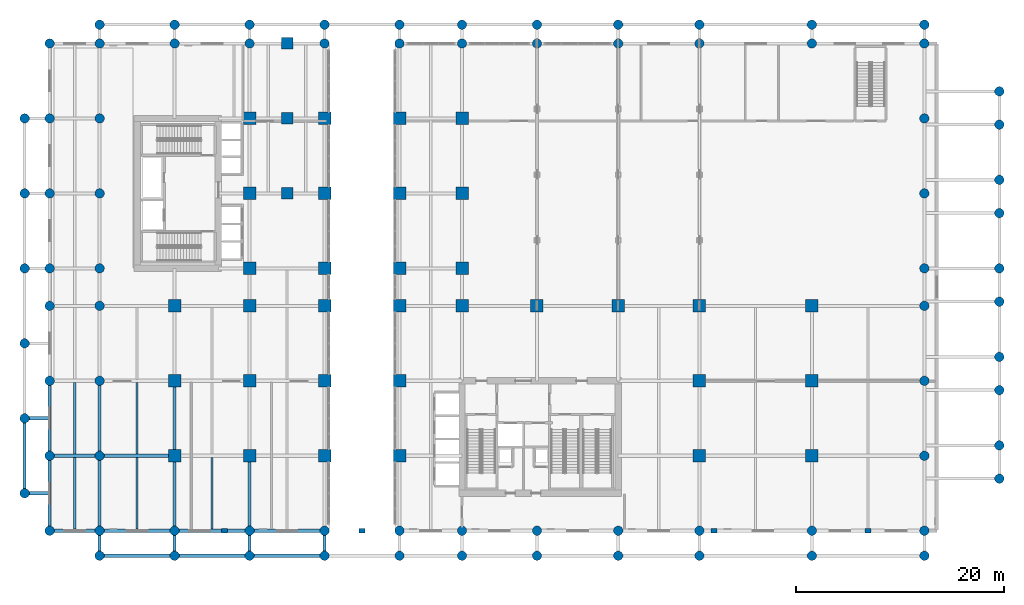
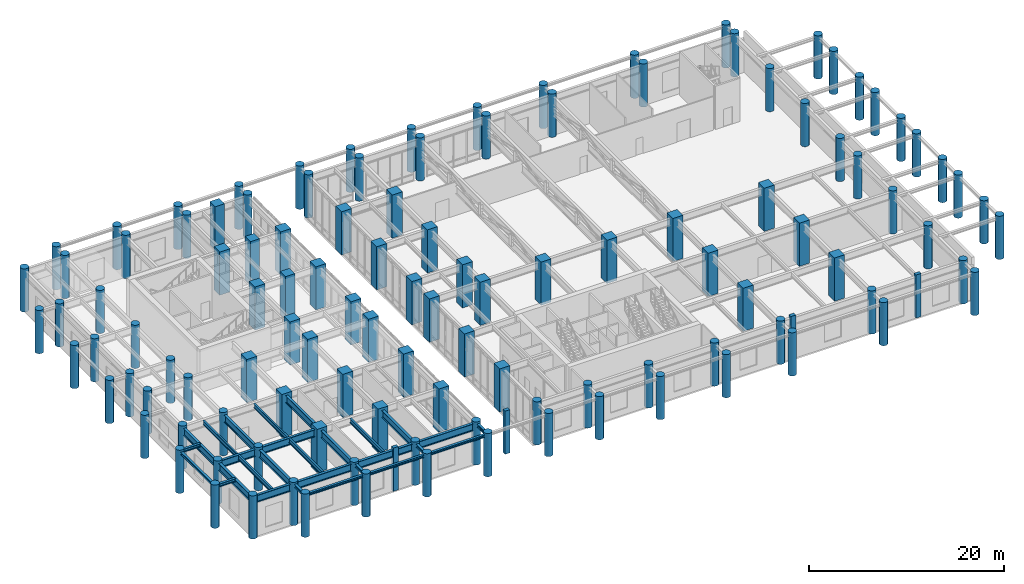
# One storey, part 1 of 24: 120 columns, 28 beams.
"""IFC4 building model written with IfcOpenShell, lengths in metres."""

from ifc_helpers import new_model, si_unit, derived_unit, direction, frame, origin, origin_2d, place, context, subcontext, project, spatial, rectangle, circle, i_section, extrude, source, transform, mapped, material, material_profile, profile_set, type_object, type_shapes, element, save


model = new_model("IFC4")

# Units and contexts
model_context = context("Model", 3, precision=1e-05, world=origin(), true_north=direction((0.0, 1.0)))
body_context = subcontext(model_context, "Body", "Model", "MODEL_VIEW")
ifc_project = project(units=[si_unit("LENGTHUNIT", "METRE"), si_unit("AREAUNIT", "SQUARE_METRE"), si_unit("VOLUMEUNIT", "CUBIC_METRE"), si_unit("PLANEANGLEUNIT", "RADIAN"), si_unit("MASSUNIT", "GRAM", prefix="KILO"), si_unit("THERMODYNAMICTEMPERATUREUNIT", "KELVIN"), si_unit("POWERUNIT", "WATT"), derived_unit("THERMALTRANSMITTANCEUNIT", [(si_unit("POWERUNIT", "WATT"), 1), (si_unit("AREAUNIT", "SQUARE_METRE"), -1), (si_unit("THERMODYNAMICTEMPERATUREUNIT", "KELVIN"), -1)])], contexts=[model_context])

# Site, building, storey
site_placement = place(None, origin())
site = spatial("IfcSite", under=ifc_project, at=site_placement, CompositionType="ELEMENT")
building_placement = place(site_placement, origin())
building = spatial("IfcBuilding", under=site, at=building_placement, Name="Zahravan Archway Hotel and Residences", CompositionType="ELEMENT")
storey_placement = place(building_placement, frame((0.0, 0.0, 10.800048828125)))
storey = spatial("IfcBuildingStorey", under=building, at=storey_placement, Name="L02", CompositionType="ELEMENT", Elevation=10.800048828125)

# Columns
ifc_material_1 = material(Name="Concrete C70/85", Category="concrete")
ifc_material_profile_1 = material_profile(ifc_material_1, rectangle(XDim=1.199951171875, YDim=1.199951171875, at=origin_2d()), Name="RC-COL-1200x1200", Category="concrete")
ifc_profile_set_1 = profile_set([ifc_material_profile_1], Name="Concrete C70/85")
column_type_1 = type_object("IfcColumnType", Name="COL-RC-1200", PredefinedType="COLUMN", material=ifc_profile_set_1)
shared_shape_1 = source(origin(), body_context, "Body", "SweptSolid", [
    extrude(rectangle(XDim=1.199951171875, YDim=1.199951171875, at=origin_2d()), origin(), (0.0, 0.0, 1.0), 5.39990234375),
])
for number, where, z_axis, x_axis, name in (
    (1, (7.199951171875, 7.199951171875, 0.0), (0.0, 0.0, 1.0), (1.0, 0.0, 0.0), "L02 Column 2-B"),
    (2, (7.199951171875, 14.39990234375, 0.0), (0.0, 0.0, 1.0), (1.0, 0.0, 0.0), "L02 Column 2-C"),
    (3, (7.199951171875, 21.60009765625, 0.0), (0.0, 0.0, 1.0), (1.0, 0.0, 0.0), "L02 Column 2-D"),
    (4, (14.39990234375, 7.199951171875, 0.0), (0.0, 0.0, 1.0), (1.0, 0.0, 0.0), "L02 Column 3-B"),
    (5, (14.39990234375, 14.39990234375, 0.0), (0.0, 0.0, 1.0), (1.0, 0.0, 0.0), "L02 Column 3-C"),
    (6, (14.39990234375, 21.60009765625, 0.0), (0.0, 0.0, 1.0), (1.0, 0.0, 0.0), "L02 Column 3-D"),
    (7, (14.39990234375, 25.199951171875, 0.0), (0.0, 0.0, 1.0), (1.0, 0.0, 0.0), "L02 Column 3-E"),
    (8, (14.39990234375, 32.39990234375, 0.0), (0.0, 0.0, 1.0), (1.0, 0.0, 0.0), "L02 Column 3-F"),
    (9, (14.39990234375, 39.60009765625, 0.0), (0.0, 0.0, 1.0), (1.0, 0.0, 0.0), "L02 Column 3-G"),
    (10, (21.60009765625, 7.199951171875, 0.0), (0.0, 0.0, 1.0), (1.0, 0.0, 0.0), "L02 Column 4-B"),
    (11, (21.60009765625, 14.39990234375, 0.0), (0.0, 0.0, 1.0), (1.0, 0.0, 0.0), "L02 Column 4-C"),
    (12, (21.60009765625, 21.60009765625, 0.0), (0.0, 0.0, 1.0), (1.0, 0.0, 0.0), "L02 Column 4-D"),
    (13, (21.60009765625, 25.199951171875, 0.0), (0.0, 0.0, 1.0), (1.0, 0.0, 0.0), "L02 Column 4-E"),
    (14, (21.60009765625, 32.39990234375, 0.0), (0.0, 0.0, 1.0), (1.0, 0.0, 0.0), "L02 Column 4-F"),
    (15, (21.60009765625, 39.60009765625, 0.0), (0.0, 0.0, 1.0), (1.0, 0.0, 0.0), "L02 Column 4-G"),
    (16, (28.800048828125, 7.199951171875, 0.0), (0.0, 0.0, 1.0), (1.0, 0.0, 0.0), "L02 Column 5-B"),
    (17, (28.800048828125, 14.39990234375, 0.0), (0.0, 0.0, 1.0), (1.0, 0.0, 0.0), "L02 Column 5-C"),
    (18, (28.800048828125, 21.60009765625, 0.0), (0.0, 0.0, 1.0), (1.0, 0.0, 0.0), "L02 Column 5-D"),
    (19, (28.800048828125, 25.199951171875, 0.0), (0.0, 0.0, 1.0), (1.0, 0.0, 0.0), "L02 Column 5-E"),
    (20, (28.800048828125, 32.39990234375, 0.0), (0.0, 0.0, 1.0), (1.0, 0.0, 0.0), "L02 Column 5-F"),
    (21, (28.800048828125, 39.60009765625, 0.0), (0.0, 0.0, 1.0), (1.0, 0.0, 0.0), "L02 Column 5-G"),
    (22, (34.800048828125, 21.60009765625, 0.0), (0.0, 0.0, 1.0), (1.0, 0.0, 0.0), "L02 Column 6-D"),
    (23, (34.800048828125, 25.199951171875, 0.0), (0.0, 0.0, 1.0), (1.0, 0.0, 0.0), "L02 Column 6-E"),
    (24, (34.800048828125, 32.39990234375, 0.0), (0.0, 0.0, 1.0), (1.0, 0.0, 0.0), "L02 Column 6-F"),
    (25, (34.800048828125, 39.60009765625, 0.0), (0.0, 0.0, 1.0), (1.0, 0.0, 0.0), "L02 Column 6-G"),
    (26, (42.0, 21.60009765625, 0.0), (0.0, 0.0, 1.0), (1.0, 0.0, 0.0), "L02 Column 7-D"),
    (27, (49.800048828125, 21.60009765625, 0.0), (0.0, 0.0, 1.0), (1.0, 0.0, 0.0), "L02 Column 8-D"),
    (28, (57.60009765625, 7.199951171875, 0.0), (0.0, 0.0, 1.0), (1.0, 0.0, 0.0), "L02 Column 9-B"),
    (29, (57.60009765625, 14.39990234375, 0.0), (0.0, 0.0, 1.0), (1.0, 0.0, 0.0), "L02 Column 9-C"),
    (30, (57.60009765625, 21.60009765625, 0.0), (0.0, 0.0, 1.0), (1.0, 0.0, 0.0), "L02 Column 9-D"),
    (31, (68.39990234375, 7.199951171875, 0.0), (0.0, 0.0, 1.0), (1.0, 0.0, 0.0), "L02 Column 10-B"),
    (32, (68.39990234375, 14.39990234375, 0.0), (0.0, 0.0, 1.0), (1.0, 0.0, 0.0), "L02 Column 10-C"),
    (33, (68.39990234375, 21.60009765625, 0.0), (0.0, 0.0, 1.0), (1.0, 0.0, 0.0), "L02 Column 10-D"),
):
    element("IfcColumn", number, at=place(storey_placement, frame(where, z_axis=z_axis, x_axis=x_axis)), inside=storey, type_object=column_type_1, Name=name, PredefinedType="COLUMN", context=body_context, shape_type="MappedRepresentation", body=[
        mapped(shared_shape_1, transform((0.0, 0.0, 0.0), scale=1.0)),
    ])
ifc_material_2 = material(Name="Concrete C60/75", Category="concrete")
ifc_material_profile_2 = material_profile(ifc_material_2, circle(Radius=0.449951171875, at=origin_2d()), Name="RC-CIRC-900", Category="concrete")
ifc_profile_set_2 = profile_set([ifc_material_profile_2], Name="Concrete C60/75")
column_type_2 = type_object("IfcColumnType", Name="COL-RND-900", PredefinedType="COLUMN", material=ifc_profile_set_2)
shared_shape_2 = source(origin(), body_context, "Body", "SweptSolid", [
    extrude(circle(Radius=0.449951171875, at=origin_2d()), origin(), (0.0, 0.0, 1.0), 5.39990234375),
])
type_shapes(column_type_2, [shared_shape_2])
for number, where, z_axis, x_axis, name in (
    (34, (-4.800048828125, 0.0, 0.0), (0.0, 0.0, 1.0), (1.0, 0.0, 0.0), "L02 Column 0-A"),
    (35, (-4.800048828125, 7.199951171875, 0.0), (0.0, 0.0, 1.0), (1.0, 0.0, 0.0), "L02 Column 0-B"),
    (36, (-4.800048828125, 14.39990234375, 0.0), (0.0, 0.0, 1.0), (1.0, 0.0, 0.0), "L02 Column 0-C"),
    (37, (-4.800048828125, 21.60009765625, 0.0), (0.0, 0.0, 1.0), (1.0, 0.0, 0.0), "L02 Column 0-D"),
    (38, (-4.800048828125, 25.199951171875, 0.0), (0.0, 0.0, 1.0), (1.0, 0.0, 0.0), "L02 Column 0-E"),
    (39, (-4.800048828125, 32.39990234375, 0.0), (0.0, 0.0, 1.0), (1.0, 0.0, 0.0), "L02 Column 0-F"),
    (40, (-4.800048828125, 39.60009765625, 0.0), (0.0, 0.0, 1.0), (1.0, 0.0, 0.0), "L02 Column 0-G"),
    (41, (-4.800048828125, 46.800048828125, 0.0), (0.0, 0.0, 1.0), (1.0, 0.0, 0.0), "L02 Column 0-H"),
    (42, (0.0, 0.0, 0.0), (0.0, 0.0, 1.0), (1.0, 0.0, 0.0), "L02 Column 1-A"),
    (43, (0.0, 7.199951171875, 0.0), (0.0, 0.0, 1.0), (1.0, 0.0, 0.0), "L02 Column 1-B"),
    (44, (0.0, 14.39990234375, 0.0), (0.0, 0.0, 1.0), (1.0, 0.0, 0.0), "L02 Column 1-C"),
    (45, (0.0, 21.60009765625, 0.0), (0.0, 0.0, 1.0), (1.0, 0.0, 0.0), "L02 Column 1-D"),
    (46, (0.0, 25.199951171875, 0.0), (0.0, 0.0, 1.0), (1.0, 0.0, 0.0), "L02 Column 1-E"),
    (47, (0.0, 32.39990234375, 0.0), (0.0, 0.0, 1.0), (1.0, 0.0, 0.0), "L02 Column 1-F"),
    (48, (0.0, 39.60009765625, 0.0), (0.0, 0.0, 1.0), (1.0, 0.0, 0.0), "L02 Column 1-G"),
    (49, (0.0, 46.800048828125, 0.0), (0.0, 0.0, 1.0), (1.0, 0.0, 0.0), "L02 Column 1-H"),
    (50, (7.199951171875, 0.0, 0.0), (0.0, 0.0, 1.0), (1.0, 0.0, 0.0), "L02 Column 2-A"),
    (51, (7.199951171875, 46.800048828125, 0.0), (0.0, 0.0, 1.0), (1.0, 0.0, 0.0), "L02 Column 2-H"),
    (52, (14.39990234375, 0.0, 0.0), (0.0, 0.0, 1.0), (1.0, 0.0, 0.0), "L02 Column 3-A"),
    (53, (14.39990234375, 46.800048828125, 0.0), (0.0, 0.0, 1.0), (1.0, 0.0, 0.0), "L02 Column 3-H"),
    (54, (21.60009765625, 0.0, 0.0), (0.0, 0.0, 1.0), (1.0, 0.0, 0.0), "L02 Column 4-A"),
    (55, (21.60009765625, 46.800048828125, 0.0), (0.0, 0.0, 1.0), (1.0, 0.0, 0.0), "L02 Column 4-H"),
    (56, (28.800048828125, 0.0, 0.0), (0.0, 0.0, 1.0), (1.0, 0.0, 0.0), "L02 Column 5-A"),
    (57, (28.800048828125, 46.800048828125, 0.0), (0.0, 0.0, 1.0), (1.0, 0.0, 0.0), "L02 Column 5-H"),
    (58, (34.800048828125, 0.0, 0.0), (0.0, 0.0, 1.0), (1.0, 0.0, 0.0), "L02 Column 6-A"),
    (59, (34.800048828125, 46.800048828125, 0.0), (0.0, 0.0, 1.0), (1.0, 0.0, 0.0), "L02 Column 6-H"),
    (60, (42.0, 0.0, 0.0), (0.0, 0.0, 1.0), (1.0, 0.0, 0.0), "L02 Column 7-A"),
    (61, (42.0, 46.800048828125, 0.0), (0.0, 0.0, 1.0), (1.0, 0.0, 0.0), "L02 Column 7-H"),
    (62, (49.800048828125, 0.0, 0.0), (0.0, 0.0, 1.0), (1.0, 0.0, 0.0), "L02 Column 8-A"),
    (63, (49.800048828125, 46.800048828125, 0.0), (0.0, 0.0, 1.0), (1.0, 0.0, 0.0), "L02 Column 8-H"),
    (64, (57.60009765625, 0.0, 0.0), (0.0, 0.0, 1.0), (1.0, 0.0, 0.0), "L02 Column 9-A"),
    (65, (57.60009765625, 46.800048828125, 0.0), (0.0, 0.0, 1.0), (1.0, 0.0, 0.0), "L02 Column 9-H"),
    (66, (68.39990234375, 0.0, 0.0), (0.0, 0.0, 1.0), (1.0, 0.0, 0.0), "L02 Column 10-A"),
    (67, (68.39990234375, 46.800048828125, 0.0), (0.0, 0.0, 1.0), (1.0, 0.0, 0.0), "L02 Column 10-H"),
    (68, (79.199951171875, 0.0, 0.0), (0.0, 0.0, 1.0), (1.0, 0.0, 0.0), "L02 Column 11-A"),
    (69, (79.199951171875, 7.199951171875, 0.0), (0.0, 0.0, 1.0), (1.0, 0.0, 0.0), "L02 Column 11-B"),
    (70, (79.199951171875, 14.39990234375, 0.0), (0.0, 0.0, 1.0), (1.0, 0.0, 0.0), "L02 Column 11-C"),
    (71, (79.199951171875, 21.60009765625, 0.0), (0.0, 0.0, 1.0), (1.0, 0.0, 0.0), "L02 Column 11-D"),
    (72, (79.199951171875, 25.199951171875, 0.0), (0.0, 0.0, 1.0), (1.0, 0.0, 0.0), "L02 Column 11-E"),
    (73, (79.199951171875, 32.39990234375, 0.0), (0.0, 0.0, 1.0), (1.0, 0.0, 0.0), "L02 Column 11-F"),
    (74, (79.199951171875, 39.60009765625, 0.0), (0.0, 0.0, 1.0), (1.0, 0.0, 0.0), "L02 Column 11-G"),
    (75, (79.199951171875, 46.800048828125, 0.0), (0.0, 0.0, 1.0), (1.0, 0.0, 0.0), "L02 Column 11-H"),
    (76, (-7.199951171875, 3.60009765625, 0.0), (0.0, 0.0, 1.0), (1.0, 0.0, 0.0), "L02 Column WCOL-1"),
    (77, (-7.199951171875, 10.800048828125, 0.0), (0.0, 0.0, 1.0), (1.0, 0.0, 0.0), "L02 Column WCOL-2"),
    (78, (-7.199951171875, 18.0, 0.0), (0.0, 0.0, 1.0), (1.0, 0.0, 0.0), "L02 Column WCOL-3"),
    (79, (-7.199951171875, 25.199951171875, 0.0), (0.0, 0.0, 1.0), (1.0, 0.0, 0.0), "L02 Column WCOL-4"),
    (80, (-7.199951171875, 32.39990234375, 0.0), (0.0, 0.0, 1.0), (1.0, 0.0, 0.0), "L02 Column WCOL-5"),
    (81, (-7.199951171875, 39.60009765625, 0.0), (0.0, 0.0, 1.0), (1.0, 0.0, 0.0), "L02 Column WCOL-6"),
    (82, (0.0, -2.39990234375, 0.0), (0.0, 0.0, 1.0), (1.0, 0.0, 0.0), "L02 Column SCOL-1"),
    (83, (0.0, 48.60009765625, 0.0), (0.0, 0.0, 1.0), (1.0, 0.0, 0.0), "L02 Column NCOL-1"),
    (84, (7.199951171875, -2.39990234375, 0.0), (0.0, 0.0, 1.0), (1.0, 0.0, 0.0), "L02 Column SCOL-2"),
    (85, (7.199951171875, 48.60009765625, 0.0), (0.0, 0.0, 1.0), (1.0, 0.0, 0.0), "L02 Column NCOL-2"),
    (86, (14.39990234375, -2.39990234375, 0.0), (0.0, 0.0, 1.0), (1.0, 0.0, 0.0), "L02 Column SCOL-3"),
    (87, (14.39990234375, 48.60009765625, 0.0), (0.0, 0.0, 1.0), (1.0, 0.0, 0.0), "L02 Column NCOL-3"),
    (88, (21.60009765625, -2.39990234375, 0.0), (0.0, 0.0, 1.0), (1.0, 0.0, 0.0), "L02 Column SCOL-4"),
    (89, (21.60009765625, 48.60009765625, 0.0), (0.0, 0.0, 1.0), (1.0, 0.0, 0.0), "L02 Column NCOL-4"),
    (90, (28.800048828125, -2.39990234375, 0.0), (0.0, 0.0, 1.0), (1.0, 0.0, 0.0), "L02 Column SCOL-5"),
    (91, (28.800048828125, 48.60009765625, 0.0), (0.0, 0.0, 1.0), (1.0, 0.0, 0.0), "L02 Column NCOL-5"),
    (92, (34.800048828125, -2.39990234375, 0.0), (0.0, 0.0, 1.0), (1.0, 0.0, 0.0), "L02 Column SCOL-6"),
    (93, (34.800048828125, 48.60009765625, 0.0), (0.0, 0.0, 1.0), (1.0, 0.0, 0.0), "L02 Column NCOL-6"),
    (94, (42.0, -2.39990234375, 0.0), (0.0, 0.0, 1.0), (1.0, 0.0, 0.0), "L02 Column SCOL-7"),
    (95, (42.0, 48.60009765625, 0.0), (0.0, 0.0, 1.0), (1.0, 0.0, 0.0), "L02 Column NCOL-7"),
    (96, (49.800048828125, -2.39990234375, 0.0), (0.0, 0.0, 1.0), (1.0, 0.0, 0.0), "L02 Column SCOL-8"),
    (97, (49.800048828125, 48.60009765625, 0.0), (0.0, 0.0, 1.0), (1.0, 0.0, 0.0), "L02 Column NCOL-8"),
    (98, (57.60009765625, -2.39990234375, 0.0), (0.0, 0.0, 1.0), (1.0, 0.0, 0.0), "L02 Column SCOL-9"),
    (99, (57.60009765625, 48.60009765625, 0.0), (0.0, 0.0, 1.0), (1.0, 0.0, 0.0), "L02 Column NCOL-9"),
    (100, (68.39990234375, -2.39990234375, 0.0), (0.0, 0.0, 1.0), (1.0, 0.0, 0.0), "L02 Column SCOL-10"),
    (101, (68.39990234375, 48.60009765625, 0.0), (0.0, 0.0, 1.0), (1.0, 0.0, 0.0), "L02 Column NCOL-10"),
    (102, (79.199951171875, -2.39990234375, 0.0), (0.0, 0.0, 1.0), (1.0, 0.0, 0.0), "L02 Column SCOL-11"),
    (103, (79.199951171875, 48.60009765625, 0.0), (0.0, 0.0, 1.0), (1.0, 0.0, 0.0), "L02 Column NCOL-11"),
    (104, (86.39990234375, 5.0, 0.0), (0.0, 0.0, 1.0), (1.0, 0.0, 0.0), "L02 Column ECOL-1"),
    (105, (86.39990234375, 8.199951171875, 0.0), (0.0, 0.0, 1.0), (1.0, 0.0, 0.0), "L02 Column ECOL-2"),
    (106, (86.39990234375, 13.5, 0.0), (0.0, 0.0, 1.0), (1.0, 0.0, 0.0), "L02 Column ECOL-3"),
    (107, (86.39990234375, 16.699951171875, 0.0), (0.0, 0.0, 1.0), (1.0, 0.0, 0.0), "L02 Column ECOL-4"),
    (108, (86.39990234375, 22.0, 0.0), (0.0, 0.0, 1.0), (1.0, 0.0, 0.0), "L02 Column ECOL-5"),
    (109, (86.39990234375, 25.199951171875, 0.0), (0.0, 0.0, 1.0), (1.0, 0.0, 0.0), "L02 Column ECOL-6"),
    (110, (86.39990234375, 30.5, 0.0), (0.0, 0.0, 1.0), (1.0, 0.0, 0.0), "L02 Column ECOL-7"),
    (111, (86.39990234375, 33.699951171875, 0.0), (0.0, 0.0, 1.0), (1.0, 0.0, 0.0), "L02 Column ECOL-8"),
    (112, (86.39990234375, 39.0, 0.0), (0.0, 0.0, 1.0), (1.0, 0.0, 0.0), "L02 Column ECOL-9"),
    (113, (86.39990234375, 42.199951171875, 0.0), (0.0, 0.0, 1.0), (1.0, 0.0, 0.0), "L02 Column ECOL-10"),
):
    element("IfcColumn", number, at=place(storey_placement, frame(where, z_axis=z_axis, x_axis=x_axis)), inside=storey, type_object=column_type_2, Name=name, PredefinedType="COLUMN", context=body_context, shape_type="MappedRepresentation", body=[
        mapped(shared_shape_2, transform((0.0, 0.0, 0.0), scale=1.0)),
    ])
ifc_material_profile_3 = material_profile(ifc_material_1, rectangle(XDim=1.10009765625, YDim=1.10009765625, at=origin_2d()), Name="RC 1100x1100", Category="concrete")
ifc_profile_set_3 = profile_set([ifc_material_profile_3], Name="Concrete C70/85")
column_type_3 = type_object("IfcColumnType", Name="COL-RC-1100", PredefinedType="COLUMN", material=ifc_profile_set_3)
shared_shape_3 = source(origin(), body_context, "Body", "SweptSolid", [
    extrude(rectangle(XDim=1.10009765625, YDim=1.10009765625, at=origin_2d()), origin(), (0.0, 0.0, 1.0), 5.39990234375),
])
for number, where, z_axis, x_axis, name in (
    (114, (18.0, 32.39990234375, 0.0), (0.0, 0.0, 1.0), (1.0, 0.0, 0.0), "L02 Column 3B-F"),
    (115, (18.0, 39.60009765625, 0.0), (0.0, 0.0, 1.0), (1.0, 0.0, 0.0), "L02 Column 3B-G"),
    (116, (18.0, 46.800048828125, 0.0), (0.0, 0.0, 1.0), (1.0, 0.0, 0.0), "L02 Column 3B-H"),
):
    element("IfcColumn", number, at=place(storey_placement, frame(where, z_axis=z_axis, x_axis=x_axis)), inside=storey, type_object=column_type_3, Name=name, PredefinedType="COLUMN", context=body_context, shape_type="MappedRepresentation", body=[
        mapped(shared_shape_3, transform((0.0, 0.0, 0.0), scale=1.0)),
    ])
ifc_material_3 = material(Name="Concrete C45/55", Category="concrete")
ifc_material_profile_4 = material_profile(ifc_material_3, rectangle(XDim=0.60009765625, YDim=0.39990234375, at=origin_2d()), Name="RC-PIL-600x400", Category="concrete")
ifc_profile_set_4 = profile_set([ifc_material_profile_4], Name="Concrete C45/55")
column_type_4 = type_object("IfcColumnType", Name="PIL-STONE-400", PredefinedType="PILASTER", material=ifc_profile_set_4)
shared_shape_4 = source(origin(), body_context, "Body", "SweptSolid", [
    extrude(rectangle(XDim=0.60009765625, YDim=0.39990234375, at=origin_2d()), origin(), (0.0, 0.0, 1.0), 5.39990234375),
])
for number, where, z_axis, x_axis, name in (
    (117, (12.0, 0.0, 0.0), (0.0, 0.0, 1.0), (1.0, 0.0, 0.0), "L02 South Arcade Pilaster S1"),
    (118, (25.199951171875, 0.0, 0.0), (0.0, 0.0, 1.0), (1.0, 0.0, 0.0), "L02 South Arcade Pilaster S2"),
    (119, (59.0, 0.0, 0.0), (0.0, 0.0, 1.0), (1.0, 0.0, 0.0), "L02 South Arcade Pilaster S3"),
    (120, (73.800048828125, 0.0, 0.0), (0.0, 0.0, 1.0), (1.0, 0.0, 0.0), "L02 South Arcade Pilaster S4"),
):
    element("IfcColumn", number, at=place(storey_placement, frame(where, z_axis=z_axis, x_axis=x_axis)), inside=storey, type_object=column_type_4, Name=name, PredefinedType="PILASTER", context=body_context, shape_type="MappedRepresentation", body=[
        mapped(shared_shape_4, transform((0.0, 0.0, 0.0), scale=1.0)),
    ])

# Beams
ifc_material_4 = material(Name="Structural Steel S355J2", Category="steel")
ifc_material_profile_5 = material_profile(ifc_material_4, i_section(OverallWidth=0.300048828125, OverallDepth=0.89990234375, WebThickness=0.0185546875, FlangeThickness=0.034912109375, FilletRadius=0.030029296875, at=origin_2d()), Name="HEB 900", Category="steel")
ifc_profile_set_5 = profile_set([ifc_material_profile_5], Name="Structural Steel S355J2")
beam_type_1 = type_object("IfcBeamType", Name="BM-PRI-HEB900", PredefinedType="BEAM", material=ifc_profile_set_5)
shared_shape_5 = source(origin(), body_context, "Body", "SweptSolid", [
    extrude(i_section(OverallWidth=0.300048828125, OverallDepth=0.89990234375, WebThickness=0.0185546875, FlangeThickness=0.034912109375, FilletRadius=0.030029296875, at=origin_2d()), origin(), (0.0, 0.0, 1.0), 4.800048828125),
])
type_shapes(beam_type_1, [shared_shape_5])
for number, where, z_axis, x_axis, name in (
    (121, (-4.800048828125, 0.0, 4.64990234375), (1.0, 0.0, 0.0), (0.0, 1.0, 0.0), "L02 Primary Girder EW-01"),
    (122, (-4.800048828125, 7.199951171875, 4.64990234375), (1.0, 0.0, 0.0), (0.0, 1.0, 0.0), "L02 Primary Girder EW-11"),
):
    element("IfcBeam", number, at=place(storey_placement, frame(where, z_axis=z_axis, x_axis=x_axis)), inside=storey, type_object=beam_type_1, Name=name, PredefinedType="BEAM", context=body_context, shape_type="MappedRepresentation", body=[
        mapped(shared_shape_5, transform((0.0, 0.0, 0.0), scale=1.0)),
    ])
shared_shape_6 = source(origin(), body_context, "Body", "SweptSolid", [
    extrude(i_section(OverallWidth=0.300048828125, OverallDepth=0.89990234375, WebThickness=0.0185546875, FlangeThickness=0.034912109375, FilletRadius=0.030029296875, at=origin_2d()), origin(), (0.0, 0.0, 1.0), 7.199951171875),
])
for number, where, z_axis, x_axis, name in (
    (123, (0.0, 0.0, 4.64990234375), (1.0, 0.0, 0.0), (0.0, 1.0, 0.0), "L02 Primary Girder EW-02"),
    (124, (7.199951171875, 0.0, 4.64990234375), (1.0, 0.0, 0.0), (0.0, 1.0, 0.0), "L02 Primary Girder EW-03"),
    (125, (0.0, 7.199951171875, 4.64990234375), (1.0, 0.0, 0.0), (0.0, 1.0, 0.0), "L02 Primary Girder EW-12"),
    (126, (-4.800048828125, 0.0, 4.64990234375), (0.0, 1.0, 0.0), (-1.0, 0.0, 0.0), "L02 Primary Girder NS-62"),
    (127, (-4.800048828125, 7.199951171875, 4.64990234375), (0.0, 1.0, 0.0), (-1.0, 0.0, 0.0), "L02 Primary Girder NS-63"),
    (128, (0.0, 0.0, 4.64990234375), (0.0, 1.0, 0.0), (-1.0, 0.0, 0.0), "L02 Primary Girder NS-69"),
    (129, (0.0, 7.199951171875, 4.64990234375), (0.0, 1.0, 0.0), (-1.0, 0.0, 0.0), "L02 Primary Girder NS-70"),
    (130, (7.199951171875, 0.0, 4.64990234375), (0.0, 1.0, 0.0), (-1.0, 0.0, 0.0), "L02 Primary Girder NS-76"),
    (131, (7.199951171875, 7.199951171875, 4.64990234375), (0.0, 1.0, 0.0), (-1.0, 0.0, 0.0), "L02 Primary Girder NS-77"),
    (132, (14.39990234375, 0.0, 4.64990234375), (0.0, 1.0, 0.0), (-1.0, 0.0, 0.0), "L02 Primary Girder NS-81"),
):
    element("IfcBeam", number, at=place(storey_placement, frame(where, z_axis=z_axis, x_axis=x_axis)), inside=storey, type_object=beam_type_1, Name=name, PredefinedType="BEAM", context=body_context, shape_type="MappedRepresentation", body=[
        mapped(shared_shape_6, transform((0.0, 0.0, 0.0), scale=1.0)),
    ])
shared_shape_7 = source(origin(), body_context, "Body", "SweptSolid", [
    extrude(i_section(OverallWidth=0.300048828125, OverallDepth=0.89990234375, WebThickness=0.0185546875, FlangeThickness=0.034912109375, FilletRadius=0.030029296875, at=origin_2d()), origin(), (0.0, 0.0, 1.0), 7.2001953125),
])
beam_1_placement = place(storey_placement, frame((14.39990234375, 0.0, 4.64990234375), z_axis=(1.0, 0.0, 0.0), x_axis=(0.0, 1.0, 0.0)))
element("IfcBeam", 133, at=beam_1_placement, inside=storey, type_object=beam_type_1, Name="L02 Primary Girder EW-04", PredefinedType="BEAM", context=body_context, shape_type="MappedRepresentation", body=[
    mapped(shared_shape_7, transform((0.0, 0.0, 0.0), scale=1.0)),
])
ifc_material_5 = material(Name="Structural Steel S355JR", Category="steel")
ifc_material_profile_6 = material_profile(ifc_material_5, i_section(OverallWidth=0.2099609375, OverallDepth=0.550048828125, WebThickness=0.010986328125, FlangeThickness=0.01708984375, FilletRadius=0.02392578125, at=origin_2d()), Name="IPE 550", Category="steel")
ifc_profile_set_6 = profile_set([ifc_material_profile_6], Name="Structural Steel S355JR")
beam_type_2 = type_object("IfcBeamType", Name="BM-JST-IPE550", PredefinedType="JOIST", material=ifc_profile_set_6)
shared_shape_8 = source(origin(), body_context, "Body", "SweptSolid", [
    extrude(i_section(OverallWidth=0.2099609375, OverallDepth=0.550048828125, WebThickness=0.010986328125, FlangeThickness=0.01708984375, FilletRadius=0.02392578125, at=origin_2d()), origin(), (0.0, 0.0, 1.0), 6.904052734375),
])
type_shapes(beam_type_2, [shared_shape_8])
for number, where, z_axis, x_axis, name in (
    (134, (-2.39990234375, 0.14794921875, 4.824951171875), (0.0, 1.0, 0.0), (-1.0, 0.0, 0.0), "L02 Composite Floor Joist 01"),
    (135, (3.60009765625, 0.14794921875, 4.824951171875), (0.0, 1.0, 0.0), (-1.0, 0.0, 0.0), "L02 Composite Floor Joist 02"),
    (136, (10.800048828125, 0.14794921875, 4.824951171875), (0.0, 1.0, 0.0), (-1.0, 0.0, 0.0), "L02 Composite Floor Joist 03"),
    (137, (-2.39990234375, 7.347900390625, 4.824951171875), (0.0, 1.0, 0.0), (-1.0, 0.0, 0.0), "L02 Composite Floor Joist 09"),
    (138, (3.60009765625, 7.347900390625, 4.824951171875), (0.0, 1.0, 0.0), (-1.0, 0.0, 0.0), "L02 Composite Floor Joist 10"),
):
    element("IfcBeam", number, at=place(storey_placement, frame(where, z_axis=z_axis, x_axis=x_axis)), inside=storey, type_object=beam_type_2, Name=name, PredefinedType="JOIST", context=body_context, shape_type="MappedRepresentation", body=[
        mapped(shared_shape_8, transform((0.0, 0.0, 0.0), scale=1.0)),
    ])
ifc_material_profile_7 = material_profile(ifc_material_5, i_section(OverallWidth=0.300048828125, OverallDepth=0.39990234375, WebThickness=0.013427734375, FlangeThickness=0.02392578125, FilletRadius=0.027099609375, at=origin_2d()), Name="HEB 400", Category="steel")
ifc_profile_set_7 = profile_set([ifc_material_profile_7], Name="Structural Steel S355JR")
beam_type_3 = type_object("IfcBeamType", Name="BM-PRI-HEB400", PredefinedType="BEAM", material=ifc_profile_set_7)
shared_shape_9 = source(origin(), body_context, "Body", "SweptSolid", [
    extrude(i_section(OverallWidth=0.300048828125, OverallDepth=0.39990234375, WebThickness=0.013427734375, FlangeThickness=0.02392578125, FilletRadius=0.027099609375, at=origin_2d()), origin(), (0.0, 0.0, 1.0), 2.39990234375),
])
for number, where, z_axis, x_axis, name in (
    (139, (-7.199951171875, 3.60009765625, 4.9599609375), (1.0, 0.0, 0.0), (0.0, 1.0, 0.0), "L02 West Colonnade Tie Girder 1"),
    (140, (-7.199951171875, 10.800048828125, 4.9599609375), (1.0, 0.0, 0.0), (0.0, 1.0, 0.0), "L02 West Colonnade Tie Girder 2"),
    (141, (0.0, -2.39990234375, 4.9599609375), (0.0, 1.0, 0.0), (-1.0, 0.0, 0.0), "L02 South Colonnade Tie Girder 1"),
    (142, (7.199951171875, -2.39990234375, 4.9599609375), (0.0, 1.0, 0.0), (-1.0, 0.0, 0.0), "L02 South Colonnade Tie Girder 2"),
    (143, (14.39990234375, -2.39990234375, 4.9599609375), (0.0, 1.0, 0.0), (-1.0, 0.0, 0.0), "L02 South Colonnade Tie Girder 3"),
    (144, (21.60009765625, -2.39990234375, 4.9599609375), (0.0, 1.0, 0.0), (-1.0, 0.0, 0.0), "L02 South Colonnade Tie Girder 4"),
):
    element("IfcBeam", number, at=place(storey_placement, frame(where, z_axis=z_axis, x_axis=x_axis)), inside=storey, type_object=beam_type_3, Name=name, PredefinedType="BEAM", context=body_context, shape_type="MappedRepresentation", body=[
        mapped(shared_shape_9, transform((0.0, 0.0, 0.0), scale=1.0)),
    ])
ifc_material_profile_8 = material_profile(ifc_material_5, i_section(OverallWidth=0.300048828125, OverallDepth=0.320068359375, WebThickness=0.011474609375, FlangeThickness=0.0205078125, FilletRadius=0.027099609375, at=origin_2d()), Name="HEB 320", Category="steel")
ifc_profile_set_8 = profile_set([ifc_material_profile_8], Name="Structural Steel S355JR")
beam_type_4 = type_object("IfcBeamType", Name="BM-SPN-HEB320", PredefinedType="SPANDREL", material=ifc_profile_set_8)
shared_shape_10 = source(origin(), body_context, "Body", "SweptSolid", [
    extrude(i_section(OverallWidth=0.300048828125, OverallDepth=0.320068359375, WebThickness=0.011474609375, FlangeThickness=0.0205078125, FilletRadius=0.027099609375, at=origin_2d()), origin(), (0.0, 0.0, 1.0), 7.199951171875),
])
type_shapes(beam_type_4, [shared_shape_10])
for number, where, z_axis, x_axis, name in (
    (145, (-7.199951171875, 3.60009765625, 5.0), (0.0, 1.0, 0.0), (-1.0, 0.0, 0.0), "L02 West Colonnade Spandrel 1"),
    (146, (0.0, -2.39990234375, 5.0), (1.0, 0.0, 0.0), (0.0, 1.0, 0.0), "L02 South Colonnade Spandrel 1"),
    (147, (7.199951171875, -2.39990234375, 5.0), (1.0, 0.0, 0.0), (0.0, 1.0, 0.0), "L02 South Colonnade Spandrel 2"),
):
    element("IfcBeam", number, at=place(storey_placement, frame(where, z_axis=z_axis, x_axis=x_axis)), inside=storey, type_object=beam_type_4, Name=name, PredefinedType="SPANDREL", context=body_context, shape_type="MappedRepresentation", body=[
        mapped(shared_shape_10, transform((0.0, 0.0, 0.0), scale=1.0)),
    ])
shared_shape_11 = source(origin(), body_context, "Body", "SweptSolid", [
    extrude(i_section(OverallWidth=0.300048828125, OverallDepth=0.320068359375, WebThickness=0.011474609375, FlangeThickness=0.0205078125, FilletRadius=0.027099609375, at=origin_2d()), origin(), (0.0, 0.0, 1.0), 7.2001953125),
])
beam_2_placement = place(storey_placement, frame((14.39990234375, -2.39990234375, 5.0), z_axis=(1.0, 0.0, 0.0), x_axis=(0.0, 1.0, 0.0)))
element("IfcBeam", 148, at=beam_2_placement, inside=storey, type_object=beam_type_4, Name="L02 South Colonnade Spandrel 3", PredefinedType="SPANDREL", context=body_context, shape_type="MappedRepresentation", body=[
    mapped(shared_shape_11, transform((0.0, 0.0, 0.0), scale=1.0)),
])

save(model, "model.ifc")
